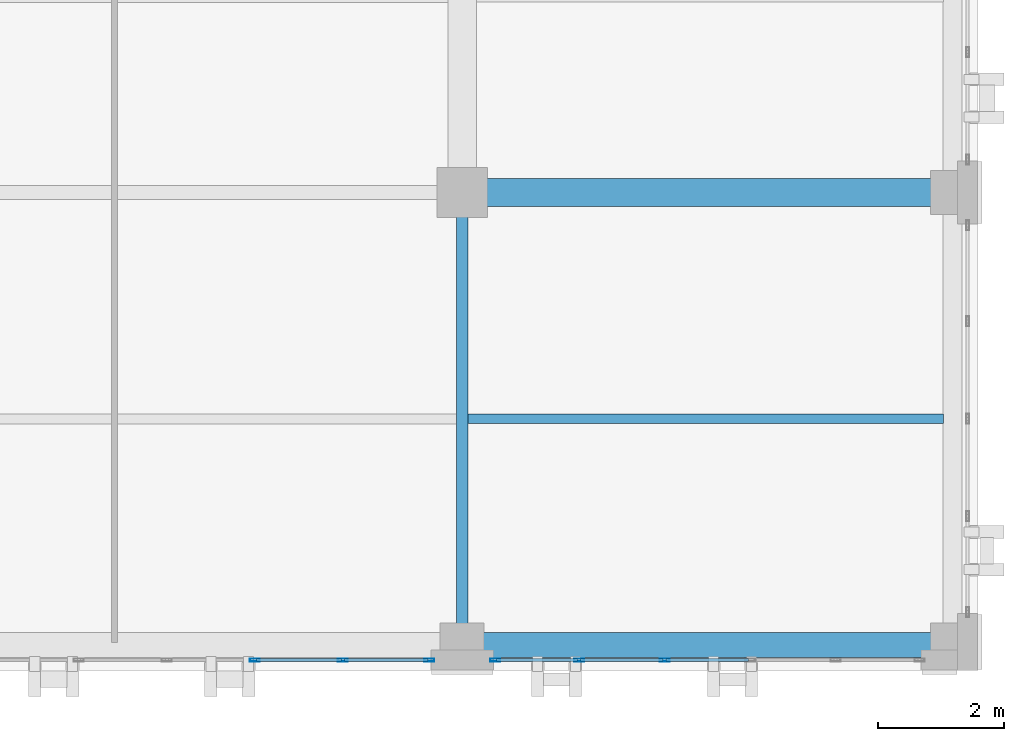
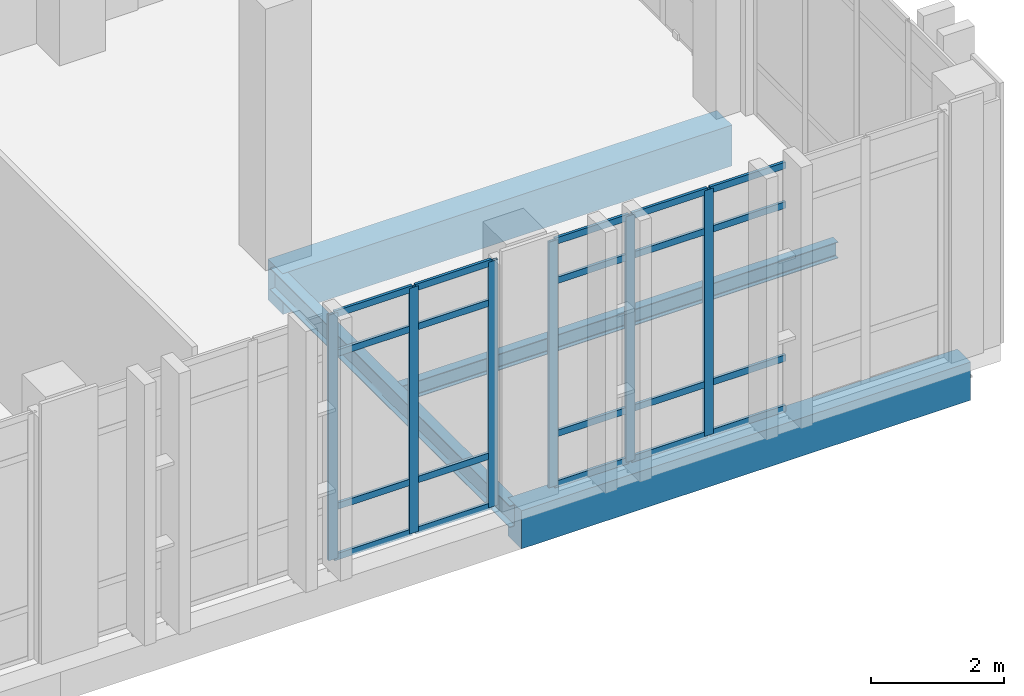
# One storey, part 119 of 189: 26 members, 4 beams, 2 elements without a shape of their own.
"""IFC4 building model written with IfcOpenShell, lengths in metres."""

from ifc_helpers import new_model, si_unit, direction, frame, origin, origin_2d, place, context, subcontext, project, spatial, rectangle, hollow_rectangle, i_section, extrude, material, layer, layer_set, material_profile, profile_set, type_object, element, aggregate, save


model = new_model("IFC4")

# Units and contexts
model_context = context("Model", 3, precision=1e-05, world=origin(), true_north=direction((0.0, 1.0)))
body_context = subcontext(model_context, "Body", "Model", "MODEL_VIEW")
ifc_project = project(units=[si_unit("LENGTHUNIT", "METRE"), si_unit("AREAUNIT", "SQUARE_METRE"), si_unit("VOLUMEUNIT", "CUBIC_METRE"), si_unit("PLANEANGLEUNIT", "RADIAN"), si_unit("MASSUNIT", "GRAM", prefix="KILO")], contexts=[model_context])

# Site, building, storey
site_placement = place(None, origin())
site = spatial("IfcSite", under=ifc_project, at=site_placement, CompositionType="ELEMENT")
building_placement = place(site_placement, origin())
building = spatial("IfcBuilding", under=site, at=building_placement, Name="Qalavern Law Courts", CompositionType="ELEMENT")
storey_placement = place(building_placement, frame((0.0, 0.0, 5.39990234375)))
storey = spatial("IfcBuildingStorey", under=building, at=storey_placement, Name="L01", CompositionType="ELEMENT", Elevation=5.39990234375)

# Curtain wall, members
ifc_material_1 = material(Name="Anodised aluminium and insulated glazing", Category="aluminium")
ifc_layer = layer(ifc_material_1, 0.172119140625)
ifc_layer_set = layer_set([ifc_layer], Name="Anodised aluminium and insulated glazing")
curtain_wall_type = type_object("IfcCurtainWallType", Name="ENV-CW-COURT", PredefinedType="USERDEFINED", material=ifc_layer_set)
curtain_wall_1_placement = place(storey_placement, origin())
curtain_wall_1 = element("IfcCurtainWall", 1, at=curtain_wall_1_placement, inside=storey, type_object=curtain_wall_type, Name="V6 unitised curtain wall L01 south 6", ObjectType="UNITISED CURTAIN WALL", PredefinedType="USERDEFINED")
ifc_material_2 = material(Name="Anodised aluminium", Category="aluminium")
ifc_material_profile_1 = material_profile(ifc_material_2, hollow_rectangle(XDim=0.048095703125, YDim=0.159912109375, WallThickness=0.00390625, at=origin_2d()), Name="ALU MULLION 48x160")
ifc_profile_set_1 = profile_set([ifc_material_profile_1], Name="Anodised aluminium")
member_type_1 = type_object("IfcMemberType", Name="ENV-CWM-48x160", PredefinedType="MULLION", material=ifc_profile_set_1)
member_1_placement = place(storey_placement, frame((154.5, 1.16259765625, 0.0), z_axis=(0.0, 0.0, 1.0), x_axis=(0.0, 1.0, 0.0)))
member_1 = element("IfcMember", 2, at=member_1_placement, type_object=member_type_1, Name="CW-03 mullion 4", PredefinedType="MULLION", context=body_context, shape_type="SweptSolid", body=[
    extrude(hollow_rectangle(XDim=0.048095703125, YDim=0.159912109375, WallThickness=0.00390625, at=origin_2d()), origin(), (0.0, 0.0, 1.0), 4.510009765625),
])
member_2_placement = place(storey_placement, frame((155.89990234375, 1.16259765625, 0.0), z_axis=(0.0, 0.0, 1.0), x_axis=(0.0, 1.0, 0.0)))
member_2 = element("IfcMember", 3, at=member_2_placement, type_object=member_type_1, Name="CW-03 mullion 5", PredefinedType="MULLION", context=body_context, shape_type="SweptSolid", body=[
    extrude(hollow_rectangle(XDim=0.048095703125, YDim=0.159912109375, WallThickness=0.00390625, at=origin_2d()), origin(), (0.0, 0.0, 1.0), 4.510009765625),
])
member_3_placement = place(storey_placement, frame((157.27587890625, 1.16259765625, 0.0), z_axis=(0.0, 0.0, 1.0), x_axis=(0.0, 1.0, 0.0)))
member_3 = element("IfcMember", 4, at=member_3_placement, type_object=member_type_1, Name="CW-03 mullion 6", PredefinedType="MULLION", context=body_context, shape_type="SweptSolid", body=[
    extrude(hollow_rectangle(XDim=0.048095703125, YDim=0.159912109375, WallThickness=0.00390625, at=origin_2d()), origin(), (0.0, 0.0, 1.0), 4.510009765625),
])

curtain_wall_2_placement = place(storey_placement, origin())
curtain_wall_2 = element("IfcCurtainWall", 5, at=curtain_wall_2_placement, inside=storey, type_object=curtain_wall_type, Name="V6 unitised curtain wall L01 south 7", ObjectType="UNITISED CURTAIN WALL", PredefinedType="USERDEFINED")
member_4_placement = place(storey_placement, frame((158.323974609375, 1.16259765625, 0.0), z_axis=(0.0, 0.0, 1.0), x_axis=(0.0, 1.0, 0.0)))
member_4 = element("IfcMember", 6, at=member_4_placement, type_object=member_type_1, Name="CW-03 mullion 1", PredefinedType="MULLION", context=body_context, shape_type="SweptSolid", body=[
    extrude(hollow_rectangle(XDim=0.048095703125, YDim=0.159912109375, WallThickness=0.00390625, at=origin_2d()), origin(), (0.0, 0.0, 1.0), 4.510009765625),
])
member_5_placement = place(storey_placement, frame((159.659912109375, 1.16259765625, 0.0), z_axis=(0.0, 0.0, 1.0), x_axis=(0.0, 1.0, 0.0)))
member_5 = element("IfcMember", 7, at=member_5_placement, type_object=member_type_1, Name="CW-03 mullion 2", PredefinedType="MULLION", context=body_context, shape_type="SweptSolid", body=[
    extrude(hollow_rectangle(XDim=0.048095703125, YDim=0.159912109375, WallThickness=0.00390625, at=origin_2d()), origin(), (0.0, 0.0, 1.0), 4.510009765625),
])
member_6_placement = place(storey_placement, frame((161.02001953125, 1.16259765625, 0.0), z_axis=(0.0, 0.0, 1.0), x_axis=(0.0, 1.0, 0.0)))
member_6 = element("IfcMember", 8, at=member_6_placement, type_object=member_type_1, Name="CW-03 mullion 3", PredefinedType="MULLION", context=body_context, shape_type="SweptSolid", body=[
    extrude(hollow_rectangle(XDim=0.048095703125, YDim=0.159912109375, WallThickness=0.00390625, at=origin_2d()), origin(), (0.0, 0.0, 1.0), 4.510009765625),
])

# Member
ifc_material_profile_2 = material_profile(ifc_material_2, hollow_rectangle(XDim=0.048095703125, YDim=0.1201171875, WallThickness=0.00390625, at=origin_2d()), Name="ALU TRANSOM 48x120")
ifc_profile_set_2 = profile_set([ifc_material_profile_2], Name="Anodised aluminium")
member_type_2 = type_object("IfcMemberType", Name="ENV-CWT-48x120", PredefinedType="USERDEFINED", material=ifc_profile_set_2)
member_7_placement = place(storey_placement, frame((154.52392578125, 1.16259765625, 0.024169921875), z_axis=(1.0, 0.0, 0.0), x_axis=(0.0, 1.0, 0.0)))
member_7 = element("IfcMember", 9, at=member_7_placement, type_object=member_type_2, Name="CW-03 transom 4.1", ObjectType="TRANSOM", PredefinedType="USERDEFINED", context=body_context, shape_type="SweptSolid", body=[
    extrude(hollow_rectangle(XDim=0.048095703125, YDim=0.1201171875, WallThickness=0.00390625, at=origin_2d()), origin(), (0.0, 0.0, 1.0), 1.35205078125),
])

member_8_placement = place(storey_placement, frame((154.52392578125, 1.16259765625, 0.9501953125), z_axis=(1.0, 0.0, 0.0), x_axis=(0.0, 1.0, 0.0)))
member_8 = element("IfcMember", 10, at=member_8_placement, type_object=member_type_2, Name="CW-03 transom 4.2", ObjectType="TRANSOM", PredefinedType="USERDEFINED", context=body_context, shape_type="SweptSolid", body=[
    extrude(hollow_rectangle(XDim=0.048095703125, YDim=0.1201171875, WallThickness=0.00390625, at=origin_2d()), origin(), (0.0, 0.0, 1.0), 1.35205078125),
])

member_9_placement = place(storey_placement, frame((154.52392578125, 1.16259765625, 3.760009765625), z_axis=(1.0, 0.0, 0.0), x_axis=(0.0, 1.0, 0.0)))
member_9 = element("IfcMember", 11, at=member_9_placement, type_object=member_type_2, Name="CW-03 transom 4.3", ObjectType="TRANSOM", PredefinedType="USERDEFINED", context=body_context, shape_type="SweptSolid", body=[
    extrude(hollow_rectangle(XDim=0.048095703125, YDim=0.1201171875, WallThickness=0.00390625, at=origin_2d()), origin(), (0.0, 0.0, 1.0), 1.35205078125),
])

member_10_placement = place(storey_placement, frame((154.52392578125, 1.16259765625, 4.486083984375), z_axis=(1.0, 0.0, 0.0), x_axis=(0.0, 1.0, 0.0)))
member_10 = element("IfcMember", 12, at=member_10_placement, type_object=member_type_2, Name="CW-03 transom 4.4", ObjectType="TRANSOM", PredefinedType="USERDEFINED", context=body_context, shape_type="SweptSolid", body=[
    extrude(hollow_rectangle(XDim=0.048095703125, YDim=0.1201171875, WallThickness=0.00390625, at=origin_2d()), origin(), (0.0, 0.0, 1.0), 1.35205078125),
])

member_11_placement = place(storey_placement, frame((155.924072265625, 1.16259765625, 0.024169921875), z_axis=(1.0, 0.0, 0.0), x_axis=(0.0, 1.0, 0.0)))
member_11 = element("IfcMember", 13, at=member_11_placement, type_object=member_type_2, Name="CW-03 transom 5.1", ObjectType="TRANSOM", PredefinedType="USERDEFINED", context=body_context, shape_type="SweptSolid", body=[
    extrude(hollow_rectangle(XDim=0.048095703125, YDim=0.1201171875, WallThickness=0.00390625, at=origin_2d()), origin(), (0.0, 0.0, 1.0), 1.327880859375),
])

member_12_placement = place(storey_placement, frame((155.924072265625, 1.16259765625, 0.9501953125), z_axis=(1.0, 0.0, 0.0), x_axis=(0.0, 1.0, 0.0)))
member_12 = element("IfcMember", 14, at=member_12_placement, type_object=member_type_2, Name="CW-03 transom 5.2", ObjectType="TRANSOM", PredefinedType="USERDEFINED", context=body_context, shape_type="SweptSolid", body=[
    extrude(hollow_rectangle(XDim=0.048095703125, YDim=0.1201171875, WallThickness=0.00390625, at=origin_2d()), origin(), (0.0, 0.0, 1.0), 1.327880859375),
])

member_13_placement = place(storey_placement, frame((155.924072265625, 1.16259765625, 3.760009765625), z_axis=(1.0, 0.0, 0.0), x_axis=(0.0, 1.0, 0.0)))
member_13 = element("IfcMember", 15, at=member_13_placement, type_object=member_type_2, Name="CW-03 transom 5.3", ObjectType="TRANSOM", PredefinedType="USERDEFINED", context=body_context, shape_type="SweptSolid", body=[
    extrude(hollow_rectangle(XDim=0.048095703125, YDim=0.1201171875, WallThickness=0.00390625, at=origin_2d()), origin(), (0.0, 0.0, 1.0), 1.327880859375),
])

member_14_placement = place(storey_placement, frame((155.924072265625, 1.16259765625, 4.486083984375), z_axis=(1.0, 0.0, 0.0), x_axis=(0.0, 1.0, 0.0)))
member_14 = element("IfcMember", 16, at=member_14_placement, type_object=member_type_2, Name="CW-03 transom 5.4", ObjectType="TRANSOM", PredefinedType="USERDEFINED", context=body_context, shape_type="SweptSolid", body=[
    extrude(hollow_rectangle(XDim=0.048095703125, YDim=0.1201171875, WallThickness=0.00390625, at=origin_2d()), origin(), (0.0, 0.0, 1.0), 1.327880859375),
])

aggregate(curtain_wall_1, [member_1, member_2, member_3, member_7, member_8, member_9, member_10, member_11, member_12, member_13, member_14])

member_15_placement = place(storey_placement, frame((158.347900390625, 1.16259765625, 0.024169921875), z_axis=(1.0, 0.0, 0.0), x_axis=(0.0, 1.0, 0.0)))
member_15 = element("IfcMember", 17, at=member_15_placement, type_object=member_type_2, Name="CW-03 transom 1.1", ObjectType="TRANSOM", PredefinedType="USERDEFINED", context=body_context, shape_type="SweptSolid", body=[
    extrude(hollow_rectangle(XDim=0.048095703125, YDim=0.1201171875, WallThickness=0.00390625, at=origin_2d()), origin(), (0.0, 0.0, 1.0), 1.2880859375),
])

member_16_placement = place(storey_placement, frame((158.347900390625, 1.16259765625, 0.9501953125), z_axis=(1.0, 0.0, 0.0), x_axis=(0.0, 1.0, 0.0)))
member_16 = element("IfcMember", 18, at=member_16_placement, type_object=member_type_2, Name="CW-03 transom 1.2", ObjectType="TRANSOM", PredefinedType="USERDEFINED", context=body_context, shape_type="SweptSolid", body=[
    extrude(hollow_rectangle(XDim=0.048095703125, YDim=0.1201171875, WallThickness=0.00390625, at=origin_2d()), origin(), (0.0, 0.0, 1.0), 1.2880859375),
])

member_17_placement = place(storey_placement, frame((158.347900390625, 1.16259765625, 3.760009765625), z_axis=(1.0, 0.0, 0.0), x_axis=(0.0, 1.0, 0.0)))
member_17 = element("IfcMember", 19, at=member_17_placement, type_object=member_type_2, Name="CW-03 transom 1.3", ObjectType="TRANSOM", PredefinedType="USERDEFINED", context=body_context, shape_type="SweptSolid", body=[
    extrude(hollow_rectangle(XDim=0.048095703125, YDim=0.1201171875, WallThickness=0.00390625, at=origin_2d()), origin(), (0.0, 0.0, 1.0), 1.2880859375),
])

member_18_placement = place(storey_placement, frame((158.347900390625, 1.16259765625, 4.486083984375), z_axis=(1.0, 0.0, 0.0), x_axis=(0.0, 1.0, 0.0)))
member_18 = element("IfcMember", 20, at=member_18_placement, type_object=member_type_2, Name="CW-03 transom 1.4", ObjectType="TRANSOM", PredefinedType="USERDEFINED", context=body_context, shape_type="SweptSolid", body=[
    extrude(hollow_rectangle(XDim=0.048095703125, YDim=0.1201171875, WallThickness=0.00390625, at=origin_2d()), origin(), (0.0, 0.0, 1.0), 1.2880859375),
])

member_19_placement = place(storey_placement, frame((159.68408203125, 1.16259765625, 0.024169921875), z_axis=(1.0, 0.0, 0.0), x_axis=(0.0, 1.0, 0.0)))
member_19 = element("IfcMember", 21, at=member_19_placement, type_object=member_type_2, Name="CW-03 transom 2.1", ObjectType="TRANSOM", PredefinedType="USERDEFINED", context=body_context, shape_type="SweptSolid", body=[
    extrude(hollow_rectangle(XDim=0.048095703125, YDim=0.1201171875, WallThickness=0.00390625, at=origin_2d()), origin(), (0.0, 0.0, 1.0), 1.31201171875),
])

member_20_placement = place(storey_placement, frame((159.68408203125, 1.16259765625, 0.9501953125), z_axis=(1.0, 0.0, 0.0), x_axis=(0.0, 1.0, 0.0)))
member_20 = element("IfcMember", 22, at=member_20_placement, type_object=member_type_2, Name="CW-03 transom 2.2", ObjectType="TRANSOM", PredefinedType="USERDEFINED", context=body_context, shape_type="SweptSolid", body=[
    extrude(hollow_rectangle(XDim=0.048095703125, YDim=0.1201171875, WallThickness=0.00390625, at=origin_2d()), origin(), (0.0, 0.0, 1.0), 1.31201171875),
])

member_21_placement = place(storey_placement, frame((159.68408203125, 1.16259765625, 3.760009765625), z_axis=(1.0, 0.0, 0.0), x_axis=(0.0, 1.0, 0.0)))
member_21 = element("IfcMember", 23, at=member_21_placement, type_object=member_type_2, Name="CW-03 transom 2.3", ObjectType="TRANSOM", PredefinedType="USERDEFINED", context=body_context, shape_type="SweptSolid", body=[
    extrude(hollow_rectangle(XDim=0.048095703125, YDim=0.1201171875, WallThickness=0.00390625, at=origin_2d()), origin(), (0.0, 0.0, 1.0), 1.31201171875),
])

member_22_placement = place(storey_placement, frame((159.68408203125, 1.16259765625, 4.486083984375), z_axis=(1.0, 0.0, 0.0), x_axis=(0.0, 1.0, 0.0)))
member_22 = element("IfcMember", 24, at=member_22_placement, type_object=member_type_2, Name="CW-03 transom 2.4", ObjectType="TRANSOM", PredefinedType="USERDEFINED", context=body_context, shape_type="SweptSolid", body=[
    extrude(hollow_rectangle(XDim=0.048095703125, YDim=0.1201171875, WallThickness=0.00390625, at=origin_2d()), origin(), (0.0, 0.0, 1.0), 1.31201171875),
])

member_23_placement = place(storey_placement, frame((161.0439453125, 1.16259765625, 0.024169921875), z_axis=(1.0, 0.0, 0.0), x_axis=(0.0, 1.0, 0.0)))
member_23 = element("IfcMember", 25, at=member_23_placement, type_object=member_type_2, Name="CW-03 transom 3.1", ObjectType="TRANSOM", PredefinedType="USERDEFINED", context=body_context, shape_type="SweptSolid", body=[
    extrude(hollow_rectangle(XDim=0.048095703125, YDim=0.1201171875, WallThickness=0.00390625, at=origin_2d()), origin(), (0.0, 0.0, 1.0), 1.31201171875),
])

member_24_placement = place(storey_placement, frame((161.0439453125, 1.16259765625, 0.9501953125), z_axis=(1.0, 0.0, 0.0), x_axis=(0.0, 1.0, 0.0)))
member_24 = element("IfcMember", 26, at=member_24_placement, type_object=member_type_2, Name="CW-03 transom 3.2", ObjectType="TRANSOM", PredefinedType="USERDEFINED", context=body_context, shape_type="SweptSolid", body=[
    extrude(hollow_rectangle(XDim=0.048095703125, YDim=0.1201171875, WallThickness=0.00390625, at=origin_2d()), origin(), (0.0, 0.0, 1.0), 1.31201171875),
])

member_25_placement = place(storey_placement, frame((161.0439453125, 1.16259765625, 3.760009765625), z_axis=(1.0, 0.0, 0.0), x_axis=(0.0, 1.0, 0.0)))
member_25 = element("IfcMember", 27, at=member_25_placement, type_object=member_type_2, Name="CW-03 transom 3.3", ObjectType="TRANSOM", PredefinedType="USERDEFINED", context=body_context, shape_type="SweptSolid", body=[
    extrude(hollow_rectangle(XDim=0.048095703125, YDim=0.1201171875, WallThickness=0.00390625, at=origin_2d()), origin(), (0.0, 0.0, 1.0), 1.31201171875),
])

member_26_placement = place(storey_placement, frame((161.0439453125, 1.16259765625, 4.486083984375), z_axis=(1.0, 0.0, 0.0), x_axis=(0.0, 1.0, 0.0)))
member_26 = element("IfcMember", 28, at=member_26_placement, type_object=member_type_2, Name="CW-03 transom 3.4", ObjectType="TRANSOM", PredefinedType="USERDEFINED", context=body_context, shape_type="SweptSolid", body=[
    extrude(hollow_rectangle(XDim=0.048095703125, YDim=0.1201171875, WallThickness=0.00390625, at=origin_2d()), origin(), (0.0, 0.0, 1.0), 1.31201171875),
])

aggregate(curtain_wall_2, [member_4, member_5, member_6, member_15, member_16, member_17, member_18, member_19, member_20, member_21, member_22, member_23, member_24, member_25, member_26])

# Beams
ifc_material_3 = material(Name="Steel S355", Category="steel")
ifc_material_profile_3 = material_profile(ifc_material_3, i_section(OverallWidth=0.179931640625, OverallDepth=0.39990234375, WebThickness=0.008544921875, FlangeThickness=0.013427734375, FilletRadius=0.02099609375, at=origin_2d()), Name="IPE 400")
ifc_profile_set_3 = profile_set([ifc_material_profile_3], Name="Steel S355")
beam_type_1 = type_object("IfcBeamType", Name="STR-BM-IPE400", PredefinedType="BEAM", material=ifc_profile_set_3)
beam_1_placement = place(storey_placement, frame((157.800048828125, 1.39990234375, -0.5), z_axis=(0.0, 1.0, 0.0), x_axis=(-1.0, 0.0, 0.0)))
element("IfcBeam", 29, at=beam_1_placement, inside=storey, type_object=beam_type_1, Name="V6 Y-beam 8-1 L01", PredefinedType="BEAM", context=body_context, shape_type="SweptSolid", body=[
    extrude(i_section(OverallWidth=0.179931640625, OverallDepth=0.39990234375, WebThickness=0.008544921875, FlangeThickness=0.013427734375, FilletRadius=0.02099609375, at=origin_2d()), origin(), (0.0, 0.0, 1.0), 7.2001953125),
])
ifc_material_4 = material(Name="Concrete C40/50", Category="concrete")
ifc_material_profile_4 = material_profile(ifc_material_4, rectangle(XDim=0.449951171875, YDim=0.75, at=origin_2d()), Name="RC 450x750")
ifc_profile_set_4 = profile_set([ifc_material_profile_4], Name="Concrete C40/50")
beam_type_2 = type_object("IfcBeamType", Name="STR-BM-RC450x750", PredefinedType="BEAM", material=ifc_profile_set_4)
beam_2_placement = place(storey_placement, frame((157.800048828125, 8.60009765625, -0.6748046875), z_axis=(1.0, 0.0, 0.0), x_axis=(0.0, 1.0, 0.0)))
element("IfcBeam", 30, at=beam_2_placement, inside=storey, type_object=beam_type_2, Name="V6 X-beam 2-8 L01", PredefinedType="BEAM", context=body_context, shape_type="SweptSolid", body=[
    extrude(rectangle(XDim=0.449951171875, YDim=0.75, at=origin_2d()), origin(), (0.0, 0.0, 1.0), 7.800048828125),
])
ifc_material_profile_5 = material_profile(ifc_material_3, i_section(OverallWidth=0.14990234375, OverallDepth=0.300048828125, WebThickness=0.007080078125, FlangeThickness=0.0107421875, FilletRadius=0.014892578125, at=origin_2d()), Name="IPE 300")
ifc_profile_set_5 = profile_set([ifc_material_profile_5], Name="Steel S355")
beam_type_3 = type_object("IfcBeamType", Name="STR-JST-IPE300", PredefinedType="JOIST", material=ifc_profile_set_5)
beam_3_placement = place(storey_placement, frame((157.887939453125, 5.0, -0.449951171875), z_axis=(1.0, 0.0, 0.0), x_axis=(0.0, 1.0, 0.0)))
element("IfcBeam", 31, at=beam_3_placement, inside=storey, type_object=beam_type_3, Name="V6 secondary joist 8.1.1 L01", PredefinedType="JOIST", context=body_context, shape_type="SweptSolid", body=[
    extrude(i_section(OverallWidth=0.14990234375, OverallDepth=0.300048828125, WebThickness=0.007080078125, FlangeThickness=0.0107421875, FilletRadius=0.014892578125, at=origin_2d()), origin(), (0.0, 0.0, 1.0), 7.56396484375),
])
ifc_material_profile_6 = material_profile(ifc_material_4, rectangle(XDim=0.39990234375, YDim=0.699951171875, at=origin_2d()), Name="RC 400x700")
ifc_profile_set_6 = profile_set([ifc_material_profile_6], Name="Concrete C40/50")
beam_type_4 = type_object("IfcBeamType", Name="STR-SP-RC400x700", PredefinedType="SPANDREL", material=ifc_profile_set_6)
beam_4_placement = place(storey_placement, frame((157.800048828125, 1.39990234375, -0.64990234375), z_axis=(1.0, 0.0, 0.0), x_axis=(0.0, 1.0, 0.0)))
element("IfcBeam", 32, at=beam_4_placement, inside=storey, type_object=beam_type_4, Name="V6 X-beam 1-8 L01", PredefinedType="SPANDREL", context=body_context, shape_type="SweptSolid", body=[
    extrude(rectangle(XDim=0.39990234375, YDim=0.699951171875, at=origin_2d()), origin(), (0.0, 0.0, 1.0), 7.800048828125),
])

save(model, "model.ifc")
